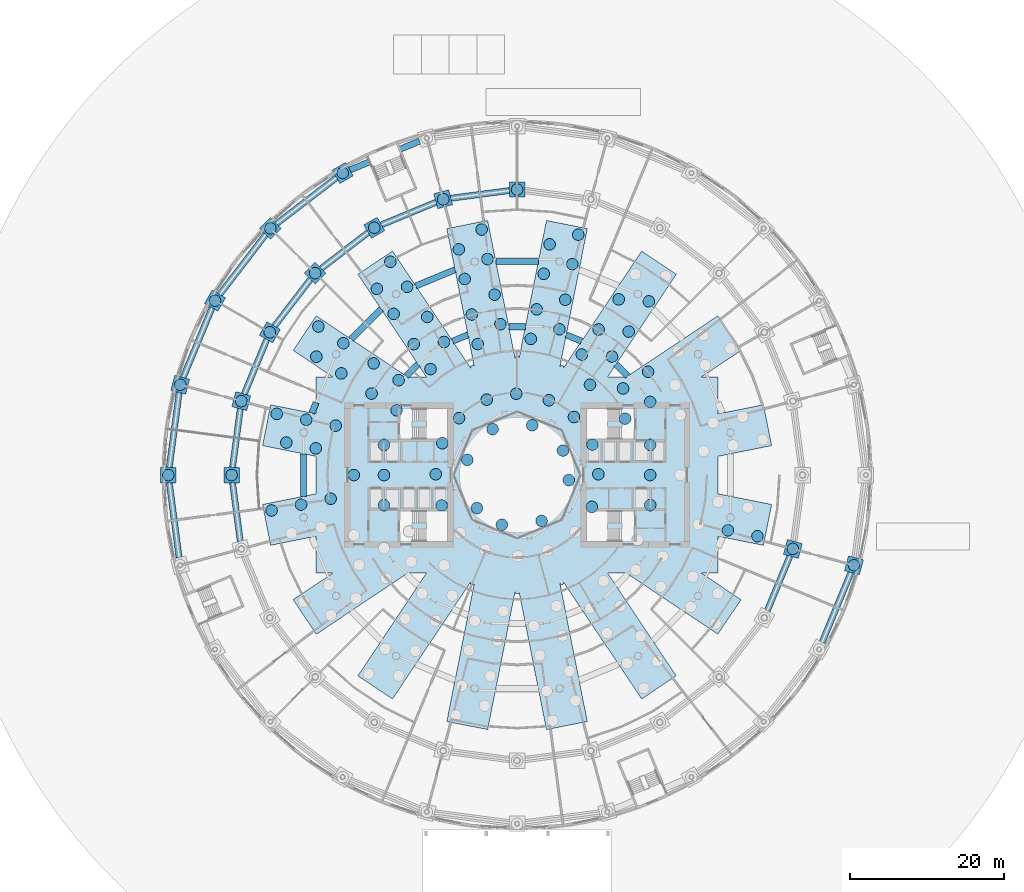
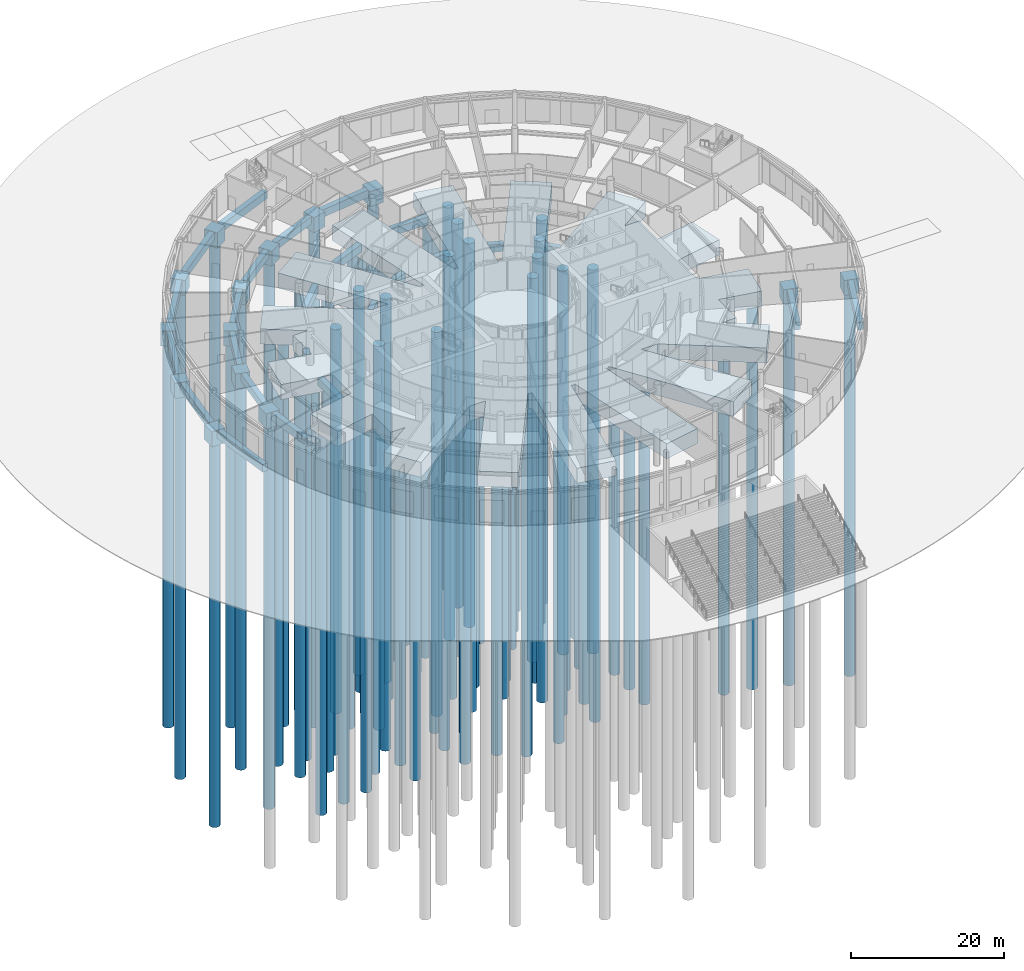
# One storey, part 2 of 41: 93 piles, 40 footings.
"""IFC4 building model written with IfcOpenShell, lengths in metres."""

from ifc_helpers import new_model, si_unit, direction, frame, origin, origin_2d, place, context, subcontext, project, spatial, polyline, rectangle, circle, outline, extrude, material, layer, layer_set, material_profile, profile_set, type_object, element, save


model = new_model("IFC4")

# Units and contexts
model_context = context("Model", 3, precision=1e-05, world=origin(), true_north=direction((0.0, 1.0)))
body_context = subcontext(model_context, "Body", "Model", "MODEL_VIEW")
ifc_project = project(units=[si_unit("LENGTHUNIT", "METRE"), si_unit("AREAUNIT", "SQUARE_METRE"), si_unit("VOLUMEUNIT", "CUBIC_METRE"), si_unit("PLANEANGLEUNIT", "RADIAN"), si_unit("MASSUNIT", "GRAM", prefix="KILO")], contexts=[model_context])

# Site, building, storey
site_placement = place(None, origin())
site = spatial("IfcSite", under=ifc_project, at=site_placement, CompositionType="ELEMENT")
building_placement = place(site_placement, origin())
building = spatial("IfcBuilding", under=site, at=building_placement, Name="Maasbend Ring Residences", CompositionType="ELEMENT")
storey_placement = place(building_placement, origin())
storey = spatial("IfcBuildingStorey", under=building, at=storey_placement, Name="L00", CompositionType="ELEMENT", Elevation=0.0)

# Piles
ifc_material_1 = material(Name="Concrete C35/45", Category="concrete")
ifc_material_profile_1 = material_profile(ifc_material_1, circle(Radius=0.75, at=origin_2d()), Name="Bored pile D1500")
ifc_profile_set_1 = profile_set([ifc_material_profile_1], Name="Concrete C35/45")
pile_type = type_object("IfcPileType", Name="Bored pile D1500", PredefinedType="BORED", material=ifc_profile_set_1)
for number, where, z_axis, x_axis, name in (
    (1, (0.0, 37.0, -2.75), (0.0, 0.0, -1.0), (1.0, 0.0, 0.0), "Bored pile P013"),
    (2, (-9.576416015625, 35.7392578125, -2.75), (0.0, 0.0, -1.0), (1.0, 0.0, 0.0), "Bored pile P015"),
    (3, (-18.5, 32.04296875, -2.75), (0.0, 0.0, -1.0), (1.0, 0.0, 0.0), "Bored pile P017"),
    (4, (-22.60009765625, 39.144287109375, -2.75), (0.0, 0.0, -1.0), (1.0, 0.0, 0.0), "Bored pile P018"),
    (5, (-26.1630859375, 26.1630859375, -2.75), (0.0, 0.0, -1.0), (1.0, 0.0, 0.0), "Bored pile P019"),
    (6, (-31.961181640625, 31.961181640625, -2.75), (0.0, 0.0, -1.0), (1.0, 0.0, 0.0), "Bored pile P020"),
    (7, (-32.04296875, 18.5, -2.75), (0.0, 0.0, -1.0), (1.0, 0.0, 0.0), "Bored pile P021"),
    (8, (-39.144287109375, 22.60009765625, -2.75), (0.0, 0.0, -1.0), (1.0, 0.0, 0.0), "Bored pile P022"),
    (9, (-35.7392578125, 9.576416015625, -2.75), (0.0, 0.0, -1.0), (1.0, 0.0, 0.0), "Bored pile P023"),
    (10, (-43.659912109375, 11.698486328125, -2.75), (0.0, 0.0, -1.0), (1.0, 0.0, 0.0), "Bored pile P024"),
    (11, (31.151611328125, -7.9296875, -2.75), (0.0, 0.0, -1.0), (1.0, 0.0, 0.0), "Bored pile P077"),
    (12, (27.326416015625, -7.168701171875, -2.75), (0.0, 0.0, -1.0), (1.0, 0.0, 0.0), "Bored pile P083"),
    (13, (-1.962158203125, -6.4462890625, -2.75), (0.0, 0.0, -1.0), (1.0, 0.0, 0.0), "Bored pile P085"),
    (14, (3.1708984375, -5.945556640625, -2.75), (0.0, 0.0, -1.0), (1.0, 0.0, 0.0), "Bored pile P087"),
    (15, (-31.814697265625, -4.594970703125, -2.75), (0.0, 0.0, -1.0), (1.0, 0.0, 0.0), "Bored pile P088"),
    (16, (-5.204833984375, -4.279541015625, -2.75), (0.0, 0.0, -1.0), (1.0, 0.0, 0.0), "Bored pile P089"),
    (17, (9.68896484375, -4.12890625, -2.75), (0.0, 0.0, -1.0), (1.0, 0.0, 0.0), "Bored pile P091"),
    (18, (-9.770751953125, -3.931884765625, -2.75), (0.0, 0.0, -1.0), (1.0, 0.0, 0.0), "Bored pile P092"),
    (19, (-17.25, -3.89990234375, -2.75), (0.0, 0.0, -1.0), (1.0, 0.0, 0.0), "Bored pile P093"),
    (20, (17.25, -3.89990234375, -2.75), (0.0, 0.0, -1.0), (1.0, 0.0, 0.0), "Bored pile P094"),
    (21, (-27.98974609375, -3.834228515625, -2.75), (0.0, 0.0, -1.0), (1.0, 0.0, 0.0), "Bored pile P095"),
    (22, (-24.164794921875, -3.0732421875, -2.75), (0.0, 0.0, -1.0), (1.0, 0.0, 0.0), "Bored pile P097"),
    (23, (6.70654296875, -0.654296875, -2.75), (0.0, 0.0, -1.0), (1.0, 0.0, 0.0), "Bored pile P098"),
    (24, (-21.14990234375, 0.0, -2.75), (0.0, 0.0, -1.0), (1.0, 0.0, 0.0), "Bored pile P099"),
    (25, (-17.25, 0.0, -2.75), (0.0, 0.0, -1.0), (1.0, 0.0, 0.0), "Bored pile P100"),
    (26, (17.25, 0.0, -2.75), (0.0, 0.0, -1.0), (1.0, 0.0, 0.0), "Bored pile P101"),
    (27, (-10.531494140625, 0.106689453125, -2.75), (0.0, 0.0, -1.0), (1.0, 0.0, 0.0), "Bored pile P103"),
    (28, (10.531494140625, 0.106689453125, -2.75), (0.0, 0.0, -1.0), (1.0, 0.0, 0.0), "Bored pile P104"),
    (29, (-6.4462890625, 1.962158203125, -2.75), (0.0, 0.0, -1.0), (1.0, 0.0, 0.0), "Bored pile P105"),
    (30, (5.945556640625, 3.1708984375, -2.75), (0.0, 0.0, -1.0), (1.0, 0.0, 0.0), "Bored pile P107"),
    (31, (-26.0771484375, 3.45361328125, -2.75), (0.0, 0.0, -1.0), (1.0, 0.0, 0.0), "Bored pile P108"),
    (32, (-17.25, 3.89990234375, -2.75), (0.0, 0.0, -1.0), (1.0, 0.0, 0.0), "Bored pile P110"),
    (33, (17.25, 3.89990234375, -2.75), (0.0, 0.0, -1.0), (1.0, 0.0, 0.0), "Bored pile P111"),
    (34, (9.770751953125, 3.931884765625, -2.75), (0.0, 0.0, -1.0), (1.0, 0.0, 0.0), "Bored pile P112"),
    (35, (-9.68896484375, 4.12890625, -2.75), (0.0, 0.0, -1.0), (1.0, 0.0, 0.0), "Bored pile P113"),
    (36, (-29.90234375, 4.214599609375, -2.75), (0.0, 0.0, -1.0), (1.0, 0.0, 0.0), "Bored pile P114"),
    (37, (-3.1708984375, 5.945556640625, -2.75), (0.0, 0.0, -1.0), (1.0, 0.0, 0.0), "Bored pile P116"),
    (38, (-23.50146484375, 6.407958984375, -2.75), (0.0, 0.0, -1.0), (1.0, 0.0, 0.0), "Bored pile P117"),
    (39, (1.962158203125, 6.4462890625, -2.75), (0.0, 0.0, -1.0), (1.0, 0.0, 0.0), "Bored pile P118"),
    (40, (-27.326416015625, 7.168701171875, -2.75), (0.0, 0.0, -1.0), (1.0, 0.0, 0.0), "Bored pile P120"),
    (41, (13.99853515625, 7.30908203125, -2.75), (0.0, 0.0, -1.0), (1.0, 0.0, 0.0), "Bored pile P121"),
    (42, (-7.522216796875, 7.37158203125, -2.75), (0.0, 0.0, -1.0), (1.0, 0.0, 0.0), "Bored pile P122"),
    (43, (7.37158203125, 7.522216796875, -2.75), (0.0, 0.0, -1.0), (1.0, 0.0, 0.0), "Bored pile P123"),
    (44, (-31.151611328125, 7.9296875, -2.75), (0.0, 0.0, -1.0), (1.0, 0.0, 0.0), "Bored pile P126"),
    (45, (-15.619873046875, 8.392333984375, -2.75), (0.0, 0.0, -1.0), (1.0, 0.0, 0.0), "Bored pile P127"),
    (46, (17.2412109375, 9.4755859375, -2.75), (0.0, 0.0, -1.0), (1.0, 0.0, 0.0), "Bored pile P128"),
    (47, (4.12890625, 9.68896484375, -2.75), (0.0, 0.0, -1.0), (1.0, 0.0, 0.0), "Bored pile P129"),
    (48, (-3.931884765625, 9.770751953125, -2.75), (0.0, 0.0, -1.0), (1.0, 0.0, 0.0), "Bored pile P130"),
    (49, (-0.106689453125, 10.531494140625, -2.75), (0.0, 0.0, -1.0), (1.0, 0.0, 0.0), "Bored pile P131"),
    (50, (-18.862548828125, 10.55908203125, -2.75), (0.0, 0.0, -1.0), (1.0, 0.0, 0.0), "Bored pile P132"),
    (51, (13.73095703125, 11.21923828125, -2.75), (0.0, 0.0, -1.0), (1.0, 0.0, 0.0), "Bored pile P133"),
    (52, (9.449951171875, 11.699951171875, -2.75), (0.0, 0.0, -1.0), (1.0, 0.0, 0.0), "Bored pile P135"),
    (53, (-15.352294921875, 12.302734375, -2.75), (0.0, 0.0, -1.0), (1.0, 0.0, 0.0), "Bored pile P136"),
    (54, (-22.7705078125, 13.170166015625, -2.75), (0.0, 0.0, -1.0), (1.0, 0.0, 0.0), "Bored pile P137"),
    (55, (16.9736328125, 13.385986328125, -2.75), (0.0, 0.0, -1.0), (1.0, 0.0, 0.0), "Bored pile P138"),
    (56, (-11.21923828125, 13.73095703125, -2.75), (0.0, 0.0, -1.0), (1.0, 0.0, 0.0), "Bored pile P139"),
    (57, (-18.59521484375, 14.469482421875, -2.75), (0.0, 0.0, -1.0), (1.0, 0.0, 0.0), "Bored pile P141"),
    (58, (-26.01318359375, 15.3369140625, -2.75), (0.0, 0.0, -1.0), (1.0, 0.0, 0.0), "Bored pile P142"),
    (59, (12.302734375, 15.352294921875, -2.75), (0.0, 0.0, -1.0), (1.0, 0.0, 0.0), "Bored pile P143"),
    (60, (8.392333984375, 15.619873046875, -2.75), (0.0, 0.0, -1.0), (1.0, 0.0, 0.0), "Bored pile P144"),
    (61, (-13.385986328125, 16.9736328125, -2.75), (0.0, 0.0, -1.0), (1.0, 0.0, 0.0), "Bored pile P147"),
    (62, (-5.110595703125, 16.979248046875, -2.75), (0.0, 0.0, -1.0), (1.0, 0.0, 0.0), "Bored pile P148"),
    (63, (-22.5029296875, 17.08056640625, -2.75), (0.0, 0.0, -1.0), (1.0, 0.0, 0.0), "Bored pile P149"),
    (64, (-9.4755859375, 17.2412109375, -2.75), (0.0, 0.0, -1.0), (1.0, 0.0, 0.0), "Bored pile P150"),
    (65, (1.77587890625, 17.642578125, -2.75), (0.0, 0.0, -1.0), (1.0, 0.0, 0.0), "Bored pile P151"),
    (66, (14.469482421875, 18.59521484375, -2.75), (0.0, 0.0, -1.0), (1.0, 0.0, 0.0), "Bored pile P153"),
    (67, (10.55908203125, 18.862548828125, -2.75), (0.0, 0.0, -1.0), (1.0, 0.0, 0.0), "Bored pile P154"),
    (68, (5.4912109375, 18.8916015625, -2.75), (0.0, 0.0, -1.0), (1.0, 0.0, 0.0), "Bored pile P155"),
    (69, (-25.74560546875, 19.247314453125, -2.75), (0.0, 0.0, -1.0), (1.0, 0.0, 0.0), "Bored pile P156"),
    (70, (-2.156494140625, 19.55517578125, -2.75), (0.0, 0.0, -1.0), (1.0, 0.0, 0.0), "Bored pile P157"),
    (71, (-11.642333984375, 20.48388671875, -2.75), (0.0, 0.0, -1.0), (1.0, 0.0, 0.0), "Bored pile P158"),
    (72, (-5.87158203125, 20.80419921875, -2.75), (0.0, 0.0, -1.0), (1.0, 0.0, 0.0), "Bored pile P159"),
    (73, (-15.997314453125, 20.881591796875, -2.75), (0.0, 0.0, -1.0), (1.0, 0.0, 0.0), "Bored pile P160"),
    (74, (2.536865234375, 21.467529296875, -2.75), (0.0, 0.0, -1.0), (1.0, 0.0, 0.0), "Bored pile P161"),
    (75, (17.08056640625, 22.5029296875, -2.75), (0.0, 0.0, -1.0), (1.0, 0.0, 0.0), "Bored pile P162"),
    (76, (6.251953125, 22.716796875, -2.75), (0.0, 0.0, -1.0), (1.0, 0.0, 0.0), "Bored pile P163"),
    (77, (13.170166015625, 22.7705078125, -2.75), (0.0, 0.0, -1.0), (1.0, 0.0, 0.0), "Bored pile P164"),
    (78, (-2.917236328125, 23.380126953125, -2.75), (0.0, 0.0, -1.0), (1.0, 0.0, 0.0), "Bored pile P165"),
    (79, (-18.1640625, 24.124267578125, -2.75), (0.0, 0.0, -1.0), (1.0, 0.0, 0.0), "Bored pile P166"),
    (80, (-14.253662109375, 24.391845703125, -2.75), (0.0, 0.0, -1.0), (1.0, 0.0, 0.0), "Bored pile P167"),
    (81, (-6.788330078125, 25.413818359375, -2.75), (0.0, 0.0, -1.0), (1.0, 0.0, 0.0), "Bored pile P168"),
    (82, (3.45361328125, 26.0771484375, -2.75), (0.0, 0.0, -1.0), (1.0, 0.0, 0.0), "Bored pile P171"),
    (83, (7.168701171875, 27.326416015625, -2.75), (0.0, 0.0, -1.0), (1.0, 0.0, 0.0), "Bored pile P172"),
    (84, (-16.42041015625, 27.634521484375, -2.75), (0.0, 0.0, -1.0), (1.0, 0.0, 0.0), "Bored pile P173"),
    (85, (-3.834228515625, 27.98974609375, -2.75), (0.0, 0.0, -1.0), (1.0, 0.0, 0.0), "Bored pile P174"),
    (86, (-7.54931640625, 29.239013671875, -2.75), (0.0, 0.0, -1.0), (1.0, 0.0, 0.0), "Bored pile P175"),
    (87, (4.214599609375, 29.90234375, -2.75), (0.0, 0.0, -1.0), (1.0, 0.0, 0.0), "Bored pile P176"),
    (88, (7.9296875, 31.151611328125, -2.75), (0.0, 0.0, -1.0), (1.0, 0.0, 0.0), "Bored pile P177"),
    (89, (-4.594970703125, 31.814697265625, -2.75), (0.0, 0.0, -1.0), (1.0, 0.0, 0.0), "Bored pile P178"),
    (90, (-37.0, 0.0, -2.75), (0.0, 0.0, -1.0), (1.0, 0.0, 0.0), "Bored pile P179"),
    (91, (-45.199951171875, 0.0, -2.75), (0.0, 0.0, -1.0), (1.0, 0.0, 0.0), "Bored pile P180"),
    (92, (35.7392578125, -9.576416015625, -2.75), (0.0, 0.0, -1.0), (1.0, 0.0, 0.0), "Bored pile P201"),
    (93, (43.659912109375, -11.698486328125, -2.75), (0.0, 0.0, -1.0), (1.0, 0.0, 0.0), "Bored pile P202"),
):
    element("IfcPile", number, at=place(storey_placement, frame(where, z_axis=z_axis, x_axis=x_axis)), inside=storey, type_object=pile_type, Name=name, PredefinedType="BORED", context=body_context, shape_type="SweptSolid", body=[
        extrude(circle(Radius=0.75, at=origin_2d()), origin(), (0.0, 0.0, 1.0), 61.14990234375),
    ])

# Footings
ifc_material_2 = material(Name="Concrete C40/50", Category="concrete")
ifc_material_profile_2 = material_profile(ifc_material_2, rectangle(XDim=0.800048828125, YDim=1.199951171875, at=origin_2d()), Name="Ground beam RC 800x1200")
ifc_profile_set_2 = profile_set([ifc_material_profile_2], Name="Concrete C40/50")
footing_type_1 = type_object("IfcFootingType", Name="Ground beam RC 800x1200", PredefinedType="FOOTING_BEAM", material=ifc_profile_set_2)
footing_1_placement = place(storey_placement, frame((2.74853515625, 27.658203125, -1.10009765625), z_axis=(-1.0, 0.0, 0.0), x_axis=(0.0, -1.0, 0.0)))
element("IfcFooting", 94, at=footing_1_placement, inside=storey, type_object=footing_type_1, Name="Ground beam", PredefinedType="FOOTING_BEAM", context=body_context, shape_type="SweptSolid", body=[
    extrude(rectangle(XDim=0.800048828125, YDim=1.199951171875, at=origin_2d()), origin(), (0.0, 0.0, 1.0), 5.495849609375),
])
footing_2_placement = place(storey_placement, frame((-8.046875, 26.603759765625, -1.10009765625), z_axis=(-0.923879300726, -0.382683991943, 0.0), x_axis=(0.382683991943, -0.923879300726, 0.0)))
element("IfcFooting", 95, at=footing_2_placement, inside=storey, type_object=footing_type_1, Name="Ground beam", PredefinedType="FOOTING_BEAM", context=body_context, shape_type="SweptSolid", body=[
    extrude(rectangle(XDim=0.800048828125, YDim=1.199951171875, at=origin_2d()), origin(), (0.0, 0.0, 1.0), 5.495361328125),
])
footing_3_placement = place(storey_placement, frame((-17.61376953125, 21.500732421875, -1.10009765625), z_axis=(-0.707106781187, -0.707106781187, 0.0), x_axis=(0.707106781187, -0.707106781187, 0.0)))
element("IfcFooting", 96, at=footing_3_placement, inside=storey, type_object=footing_type_1, Name="Ground beam", PredefinedType="FOOTING_BEAM", context=body_context, shape_type="SweptSolid", body=[
    extrude(rectangle(XDim=0.800048828125, YDim=1.199951171875, at=origin_2d()), origin(), (0.0, 0.0, 1.0), 5.4970703125),
])
footing_4_placement = place(storey_placement, frame((-26.050048828125, 9.3837890625, -1.10009765625), z_axis=(-0.38268475408, -0.923878985038, 0.0), x_axis=(0.923878985038, -0.38268475408, 0.0)))
element("IfcFooting", 97, at=footing_4_placement, inside=storey, type_object=footing_type_1, Name="Ground beam", PredefinedType="FOOTING_BEAM", context=body_context, shape_type="SweptSolid", body=[
    extrude(rectangle(XDim=0.800048828125, YDim=1.199951171875, at=origin_2d()), origin(), (0.0, 0.0, 1.0), 1.4462890625),
])
footing_5_placement = place(storey_placement, frame((-27.658203125, 2.746826171875, -1.10009765625), z_axis=(0.0, -1.0, 0.0), x_axis=(1.0, 0.0, 0.0)))
element("IfcFooting", 98, at=footing_5_placement, inside=storey, type_object=footing_type_1, Name="Ground beam", PredefinedType="FOOTING_BEAM", context=body_context, shape_type="SweptSolid", body=[
    extrude(rectangle(XDim=0.800048828125, YDim=1.199951171875, at=origin_2d()), origin(), (0.0, 0.0, 1.0), 5.495361328125),
])
footing_6_placement = place(storey_placement, frame((14.35009765625, 12.8359375, -1.10009765625), z_axis=(-0.707163780645, 0.707049777133, 0.0), x_axis=(-0.707049777133, -0.707163780645, 0.0)))
element("IfcFooting", 99, at=footing_6_placement, inside=storey, type_object=footing_type_1, Name="Ground beam", PredefinedType="FOOTING_BEAM", context=body_context, shape_type="SweptSolid", body=[
    extrude(rectangle(XDim=0.800048828125, YDim=1.199951171875, at=origin_2d()), origin(), (0.0, 0.0, 1.0), 2.1416015625),
])
footing_7_placement = place(storey_placement, frame((8.345947265625, 17.350341796875, -1.10009765625), z_axis=(-0.923899833091, 0.382634418752, 0.0), x_axis=(-0.382634418752, -0.923899833091, 0.0)))
element("IfcFooting", 100, at=footing_7_placement, inside=storey, type_object=footing_type_1, Name="Ground beam", PredefinedType="FOOTING_BEAM", context=body_context, shape_type="SweptSolid", body=[
    extrude(rectangle(XDim=0.800048828125, YDim=1.199951171875, at=origin_2d()), origin(), (0.0, 0.0, 1.0), 2.13623046875),
])
footing_8_placement = place(storey_placement, frame((1.07080078125, 19.223388671875, -1.10009765625), z_axis=(-1.0, 0.0, 0.0), x_axis=(0.0, -1.0, 0.0)))
element("IfcFooting", 101, at=footing_8_placement, inside=storey, type_object=footing_type_1, Name="Ground beam", PredefinedType="FOOTING_BEAM", context=body_context, shape_type="SweptSolid", body=[
    extrude(rectangle(XDim=0.800048828125, YDim=1.199951171875, at=origin_2d()), origin(), (0.0, 0.0, 1.0), 2.13818359375),
])
footing_9_placement = place(storey_placement, frame((-6.372314453125, 18.167724609375, -1.10009765625), z_axis=(-0.923859427277, -0.382731967089, 0.0), x_axis=(0.382731967089, -0.923859427277, 0.0)))
element("IfcFooting", 102, at=footing_9_placement, inside=storey, type_object=footing_type_1, Name="Ground beam", PredefinedType="FOOTING_BEAM", context=body_context, shape_type="SweptSolid", body=[
    extrude(rectangle(XDim=0.800048828125, YDim=1.199951171875, at=origin_2d()), origin(), (0.0, 0.0, 1.0), 2.13623046875),
])
footing_10_placement = place(storey_placement, frame((-12.835693359375, 14.35009765625, -1.10009765625), z_axis=(-0.707163780645, -0.707049777133, 0.0), x_axis=(0.707049777133, -0.707163780645, 0.0)))
element("IfcFooting", 103, at=footing_10_placement, inside=storey, type_object=footing_type_1, Name="Ground beam", PredefinedType="FOOTING_BEAM", context=body_context, shape_type="SweptSolid", body=[
    extrude(rectangle(XDim=0.800048828125, YDim=1.199951171875, at=origin_2d()), origin(), (0.0, 0.0, 1.0), 2.1416015625),
])
for number, where, z_axis, x_axis, name in (
    (104, (-1.0, 36.868408203125, -1.10009765625), (-0.991443091593, -0.130539634333, 0.0), (0.130539634333, -0.991443091593, 0.0), "Ground beam"),
    (105, (-10.508056640625, 35.353271484375, -1.10009765625), (-0.923882105555, -0.382677220428, 0.0), (0.382677220428, -0.923882105555, 0.0), "Ground beam"),
):
    element("IfcFooting", number, at=place(storey_placement, frame(where, z_axis=z_axis, x_axis=x_axis)), inside=storey, type_object=footing_type_1, Name=name, PredefinedType="FOOTING_BEAM", context=body_context, shape_type="SweptSolid", body=[
        extrude(rectangle(XDim=0.800048828125, YDim=1.199951171875, at=origin_2d()), origin(), (0.0, 0.0, 1.0), 7.641845703125),
    ])
for number, where, z_axis, x_axis, name in (
    (106, (-19.30029296875, 31.428955078125, -1.10009765625), (-0.793357410222, -0.608756124935, 0.0), (0.608756124935, -0.793357410222, 0.0), "Ground beam"),
    (107, (-26.777099609375, 25.36279296875, -1.10009765625), (-0.608756124935, -0.793357410222, 0.0), (0.793357410222, -0.608756124935, 0.0), "Ground beam"),
):
    element("IfcFooting", number, at=place(storey_placement, frame(where, z_axis=z_axis, x_axis=x_axis)), inside=storey, type_object=footing_type_1, Name=name, PredefinedType="FOOTING_BEAM", context=body_context, shape_type="SweptSolid", body=[
        extrude(rectangle(XDim=0.800048828125, YDim=1.199951171875, at=origin_2d()), origin(), (0.0, 0.0, 1.0), 7.6416015625),
    ])
for number, where, z_axis, x_axis, name in (
    (108, (-32.428955078125, 17.568115234375, -1.10009765625), (-0.382677220428, -0.923882105555, 0.0), (0.923882105555, -0.382677220428, 0.0), "Ground beam"),
    (109, (-35.870849609375, 8.576416015625, -1.10009765625), (-0.130539634333, -0.991443091593, 0.0), (0.991443091593, -0.130539634333, 0.0), "Ground beam"),
    (110, (-36.868408203125, -1.0, -1.10009765625), (0.130539634333, -0.991443091593, 0.0), (0.991443091593, 0.130539634333, 0.0), "Ground beam"),
    (111, (32.428955078125, -17.568115234375, -1.10009765625), (0.382677220428, 0.923882105555, 0.0), (-0.923882105555, 0.382677220428, 0.0), "Ground beam"),
):
    element("IfcFooting", number, at=place(storey_placement, frame(where, z_axis=z_axis, x_axis=x_axis)), inside=storey, type_object=footing_type_1, Name=name, PredefinedType="FOOTING_BEAM", context=body_context, shape_type="SweptSolid", body=[
        extrude(rectangle(XDim=0.800048828125, YDim=1.199951171875, at=origin_2d()), origin(), (0.0, 0.0, 1.0), 7.641845703125),
    ])
for number, where, z_axis, x_axis, name in (
    (112, (-12.630615234375, 43.273681640625, -1.10009765625), (-0.923882688352, -0.382675813402, 0.0), (0.382675813402, -0.923882688352, 0.0), "Ground beam"),
    (113, (-23.400146484375, 38.5302734375, -1.10009765625), (-0.793350812576, -0.608764723177, 0.0), (0.608764723177, -0.793350812576, 0.0), "Ground beam"),
    (114, (-32.5751953125, 31.160888671875, -1.10009765625), (-0.608764723177, -0.793350812576, 0.0), (0.793350812576, -0.608764723177, 0.0), "Ground beam"),
    (115, (-39.5302734375, 21.668212890625, -1.10009765625), (-0.382675813402, -0.923882688352, 0.0), (0.923882688352, -0.382675813402, 0.0), "Ground beam"),
    (116, (-43.79150390625, 10.698486328125, -1.10009765625), (-0.130528756683, -0.991444523753, 0.0), (0.991444523753, -0.130528756683, 0.0), "Ground beam"),
    (117, (-45.068359375, -1.0, -1.10009765625), (0.130528756683, -0.991444523753, 0.0), (0.991444523753, 0.130528756683, 0.0), "Ground beam"),
    (118, (39.5302734375, -21.668212890625, -1.10009765625), (0.382675813402, 0.923882688352, 0.0), (-0.923882688352, 0.382675813402, 0.0), "Ground beam"),
):
    element("IfcFooting", number, at=place(storey_placement, frame(where, z_axis=z_axis, x_axis=x_axis)), inside=storey, type_object=footing_type_1, Name=name, PredefinedType="FOOTING_BEAM", context=body_context, shape_type="SweptSolid", body=[
        extrude(rectangle(XDim=0.800048828125, YDim=1.199951171875, at=origin_2d()), origin(), (0.0, 0.0, 1.0), 9.7822265625),
    ])
ifc_material_3 = material(Name="Concrete C40/50", Category="concrete")
ifc_layer = layer(ifc_material_3, 2.39990234375)
ifc_layer_set = layer_set([ifc_layer], Name="Concrete C40/50")
footing_type_2 = type_object("IfcFootingType", Name="Pile cap 2400", PredefinedType="PILE_CAP", material=ifc_layer_set)
footing_11_placement = place(storey_placement, frame((0.0, 0.0, -2.89990234375)))
element("IfcFooting", 119, at=footing_11_placement, inside=storey, type_object=footing_type_2, Name="Pile cap PC13 on 1 piles", PredefinedType="PILE_CAP", context=body_context, shape_type="SweptSolid", body=[
    extrude(outline(polyline([(1.0, 36.0), (1.0, 38.0), (-1.0, 38.0), (-1.0, 36.0), (1.0, 36.0)])), origin(), (0.0, 0.0, 1.0), 2.39990234375),
])
footing_12_placement = place(storey_placement, frame((0.0, 0.0, -2.89990234375)))
element("IfcFooting", 120, at=footing_12_placement, inside=storey, type_object=footing_type_2, Name="Pile cap PC15 on 1 piles", PredefinedType="PILE_CAP", context=body_context, shape_type="SweptSolid", body=[
    extrude(outline(polyline([(-8.3515625, 35.0322265625), (-8.869140625, 36.964111328125), (-10.801025390625, 36.4462890625), (-10.283447265625, 34.5146484375), (-8.3515625, 35.0322265625)])), origin(), (0.0, 0.0, 1.0), 2.39990234375),
])
footing_13_placement = place(storey_placement, frame((0.0, 0.0, -2.89990234375)))
element("IfcFooting", 121, at=footing_13_placement, inside=storey, type_object=footing_type_2, Name="Pile cap PC17 on 1 piles", PredefinedType="PILE_CAP", context=body_context, shape_type="SweptSolid", body=[
    extrude(outline(polyline([(-17.134033203125, 31.677001953125), (-18.134033203125, 33.408935546875), (-19.865966796875, 32.408935546875), (-18.865966796875, 30.677001953125), (-17.134033203125, 31.677001953125)])), origin(), (0.0, 0.0, 1.0), 2.39990234375),
])
footing_14_placement = place(storey_placement, frame((0.0, 0.0, -2.89990234375)))
element("IfcFooting", 122, at=footing_14_placement, inside=storey, type_object=footing_type_2, Name="Pile cap PC18 on 1 piles", PredefinedType="PILE_CAP", context=body_context, shape_type="SweptSolid", body=[
    extrude(outline(polyline([(-21.23388671875, 38.7783203125), (-22.23388671875, 40.51025390625), (-23.966064453125, 39.51025390625), (-22.966064453125, 37.7783203125), (-21.23388671875, 38.7783203125)])), origin(), (0.0, 0.0, 1.0), 2.39990234375),
])
footing_15_placement = place(storey_placement, frame((0.0, 0.0, -2.89990234375)))
element("IfcFooting", 123, at=footing_15_placement, inside=storey, type_object=footing_type_2, Name="Pile cap PC19 on 1 piles", PredefinedType="PILE_CAP", context=body_context, shape_type="SweptSolid", body=[
    extrude(outline(polyline([(-24.748779296875, 26.1630859375), (-26.1630859375, 27.5771484375), (-27.5771484375, 26.1630859375), (-26.1630859375, 24.748779296875), (-24.748779296875, 26.1630859375)])), origin(), (0.0, 0.0, 1.0), 2.39990234375),
])
footing_16_placement = place(storey_placement, frame((0.0, 0.0, -2.89990234375)))
element("IfcFooting", 124, at=footing_16_placement, inside=storey, type_object=footing_type_2, Name="Pile cap PC20 on 1 piles", PredefinedType="PILE_CAP", context=body_context, shape_type="SweptSolid", body=[
    extrude(outline(polyline([(-30.547119140625, 31.961181640625), (-31.961181640625, 33.37548828125), (-33.37548828125, 31.961181640625), (-31.961181640625, 30.547119140625), (-30.547119140625, 31.961181640625)])), origin(), (0.0, 0.0, 1.0), 2.39990234375),
])
footing_17_placement = place(storey_placement, frame((0.0, 0.0, -2.89990234375)))
element("IfcFooting", 125, at=footing_17_placement, inside=storey, type_object=footing_type_2, Name="Pile cap PC21 on 1 piles", PredefinedType="PILE_CAP", context=body_context, shape_type="SweptSolid", body=[
    extrude(outline(polyline([(-30.677001953125, 18.865966796875), (-32.408935546875, 19.865966796875), (-33.408935546875, 18.134033203125), (-31.677001953125, 17.134033203125), (-30.677001953125, 18.865966796875)])), origin(), (0.0, 0.0, 1.0), 2.39990234375),
])
footing_18_placement = place(storey_placement, frame((0.0, 0.0, -2.89990234375)))
element("IfcFooting", 126, at=footing_18_placement, inside=storey, type_object=footing_type_2, Name="Pile cap PC22 on 1 piles", PredefinedType="PILE_CAP", context=body_context, shape_type="SweptSolid", body=[
    extrude(outline(polyline([(-37.7783203125, 22.966064453125), (-39.51025390625, 23.966064453125), (-40.51025390625, 22.23388671875), (-38.7783203125, 21.23388671875), (-37.7783203125, 22.966064453125)])), origin(), (0.0, 0.0, 1.0), 2.39990234375),
])
footing_19_placement = place(storey_placement, frame((0.0, 0.0, -2.89990234375)))
element("IfcFooting", 127, at=footing_19_placement, inside=storey, type_object=footing_type_2, Name="Pile cap PC23 on 1 piles", PredefinedType="PILE_CAP", context=body_context, shape_type="SweptSolid", body=[
    extrude(outline(polyline([(-34.5146484375, 10.283447265625), (-36.4462890625, 10.801025390625), (-36.964111328125, 8.869140625), (-35.0322265625, 8.3515625), (-34.5146484375, 10.283447265625)])), origin(), (0.0, 0.0, 1.0), 2.39990234375),
])
footing_20_placement = place(storey_placement, frame((0.0, 0.0, -2.89990234375)))
element("IfcFooting", 128, at=footing_20_placement, inside=storey, type_object=footing_type_2, Name="Pile cap PC24 on 1 piles", PredefinedType="PILE_CAP", context=body_context, shape_type="SweptSolid", body=[
    extrude(outline(polyline([(-42.43505859375, 12.40576171875), (-44.366943359375, 12.92333984375), (-44.884521484375, 10.991455078125), (-42.95263671875, 10.473876953125), (-42.43505859375, 12.40576171875)])), origin(), (0.0, 0.0, 1.0), 2.39990234375),
])
footing_21_placement = place(storey_placement, frame((0.0, 0.0, -2.89990234375)))
element("IfcFooting", 129, at=footing_21_placement, inside=storey, type_object=footing_type_2, Name="Pile cap PC25 on 154 piles", PredefinedType="PILE_CAP", context=body_context, shape_type="SweptSolid", body=[
    extrude(outline(polyline([(-31.937255859375, -9.10546875), (-26.062255859375, -7.9404296875), (-26.050048828125, -7.958984375), (-26.050048828125, -12.699951171875), (-23.9326171875, -12.699951171875), (-23.9140625, -12.71240234375), (-23.92138671875, -12.736572265625), (-29.021484375, -16.144287109375), (-26.021484375, -20.63427734375), (-14.150390625, -12.702392578125), (-11.75390625, -12.708984375), (-11.75390625, -12.731201171875), (-20.63427734375, -26.021484375), (-16.144287109375, -29.021484375), (-6.034912109375, -13.8916015625), (-6.010498046875, -13.884033203125), (-5.99853515625, -13.906494140625), (-6.074951171875, -14.09228515625), (-5.66943359375, -14.26025390625), (-5.5927734375, -14.07666015625), (-5.559814453125, -14.073486328125), (-9.10546875, -31.937255859375), (-3.809326171875, -32.99072265625), (-0.25927734375, -15.1435546875), (-0.23974609375, -15.12744140625), (-0.22021484375, -15.1435546875), (-0.2197265625, -15.34423828125), (0.21923828125, -15.34423828125), (0.22021484375, -15.1435546875), (0.25244140625, -15.1318359375), (3.809326171875, -32.99072265625), (9.10546875, -31.937255859375), (5.559814453125, -14.073486328125), (5.5927734375, -14.07666015625), (5.66943359375, -14.26025390625), (6.074951171875, -14.09228515625), (5.99853515625, -13.906494140625), (6.010498046875, -13.884033203125), (6.034912109375, -13.8916015625), (16.144775390625, -29.021484375), (20.63427734375, -26.021484375), (11.75390625, -12.731201171875), (11.7529296875, -12.710693359375), (11.7705078125, -12.699951171875), (14.150390625, -12.702392578125), (26.021484375, -20.63427734375), (29.021484375, -16.144287109375), (23.92138671875, -12.736572265625), (23.9140625, -12.71240234375), (23.9326171875, -12.699951171875), (26.050048828125, -12.699951171875), (26.050048828125, -7.958984375), (26.062255859375, -7.9404296875), (31.937255859375, -9.10546875), (32.99072265625, -3.809326171875), (26.057373046875, -2.427734375), (26.05078125, 2.418212890625), (26.066162109375, 2.431884765625), (32.99072265625, 3.809326171875), (31.937255859375, 9.10546875), (26.062255859375, 7.9404296875), (26.050048828125, 7.958984375), (26.050048828125, 12.699951171875), (23.9326171875, 12.699951171875), (23.9140625, 12.71240234375), (23.92138671875, 12.736572265625), (29.021484375, 16.144287109375), (26.021484375, 20.63427734375), (14.150390625, 12.702392578125), (11.75390625, 12.708984375), (11.75390625, 12.731201171875), (20.63427734375, 26.021484375), (16.144287109375, 29.021484375), (6.034912109375, 13.8916015625), (6.010498046875, 13.884033203125), (5.99853515625, 13.906494140625), (6.074951171875, 14.09228515625), (5.66943359375, 14.26025390625), (5.5927734375, 14.07666015625), (5.559814453125, 14.073486328125), (9.10546875, 31.937255859375), (3.809326171875, 32.99072265625), (0.25927734375, 15.1435546875), (0.23974609375, 15.12744140625), (0.22021484375, 15.1435546875), (0.2197265625, 15.34423828125), (-0.21923828125, 15.34423828125), (-0.22021484375, 15.1435546875), (-0.25244140625, 15.1318359375), (-3.809326171875, 32.99072265625), (-9.10546875, 31.937255859375), (-5.559814453125, 14.073486328125), (-5.5927734375, 14.07666015625), (-5.66943359375, 14.26025390625), (-6.074951171875, 14.09228515625), (-5.99853515625, 13.906494140625), (-6.010498046875, 13.884033203125), (-6.034912109375, 13.8916015625), (-16.144775390625, 29.021484375), (-20.63427734375, 26.021484375), (-11.75390625, 12.731201171875), (-11.7529296875, 12.710693359375), (-11.7705078125, 12.699951171875), (-14.150390625, 12.702392578125), (-26.021484375, 20.63427734375), (-29.021484375, 16.144287109375), (-23.92138671875, 12.736572265625), (-23.9140625, 12.71240234375), (-23.9326171875, 12.699951171875), (-26.050048828125, 12.699951171875), (-26.050048828125, 7.958984375), (-26.062255859375, 7.9404296875), (-31.937255859375, 9.10546875), (-32.99072265625, 3.809326171875), (-26.057373046875, 2.427734375), (-26.05078125, -2.418212890625), (-26.066162109375, -2.431884765625), (-32.99072265625, -3.809326171875), (-31.937255859375, -9.10546875)])), origin(), (0.0, 0.0, 1.0), 2.39990234375),
])
footing_22_placement = place(storey_placement, frame((0.0, 0.0, -2.89990234375)))
element("IfcFooting", 130, at=footing_22_placement, inside=storey, type_object=footing_type_2, Name="Pile cap PC26 on 1 piles", PredefinedType="PILE_CAP", context=body_context, shape_type="SweptSolid", body=[
    extrude(outline(polyline([(-36.0, 1.0), (-38.0, 1.0), (-38.0, -1.0), (-36.0, -1.0), (-36.0, 1.0)])), origin(), (0.0, 0.0, 1.0), 2.39990234375),
])
footing_23_placement = place(storey_placement, frame((0.0, 0.0, -2.89990234375)))
element("IfcFooting", 131, at=footing_23_placement, inside=storey, type_object=footing_type_2, Name="Pile cap PC27 on 1 piles", PredefinedType="PILE_CAP", context=body_context, shape_type="SweptSolid", body=[
    extrude(outline(polyline([(-44.199951171875, 1.0), (-46.199951171875, 1.0), (-46.199951171875, -1.0), (-44.199951171875, -1.0), (-44.199951171875, 1.0)])), origin(), (0.0, 0.0, 1.0), 2.39990234375),
])
footing_24_placement = place(storey_placement, frame((0.0, 0.0, -2.89990234375)))
element("IfcFooting", 132, at=footing_24_placement, inside=storey, type_object=footing_type_2, Name="Pile cap PC48 on 1 piles", PredefinedType="PILE_CAP", context=body_context, shape_type="SweptSolid", body=[
    extrude(outline(polyline([(34.5146484375, -10.283447265625), (36.4462890625, -10.801025390625), (36.964111328125, -8.869140625), (35.0322265625, -8.3515625), (34.5146484375, -10.283447265625)])), origin(), (0.0, 0.0, 1.0), 2.39990234375),
])
footing_25_placement = place(storey_placement, frame((0.0, 0.0, -2.89990234375)))
element("IfcFooting", 133, at=footing_25_placement, inside=storey, type_object=footing_type_2, Name="Pile cap PC49 on 1 piles", PredefinedType="PILE_CAP", context=body_context, shape_type="SweptSolid", body=[
    extrude(outline(polyline([(42.43505859375, -12.40576171875), (44.366943359375, -12.92333984375), (44.884521484375, -10.991455078125), (42.95263671875, -10.473876953125), (42.43505859375, -12.40576171875)])), origin(), (0.0, 0.0, 1.0), 2.39990234375),
])

save(model, "model.ifc")
